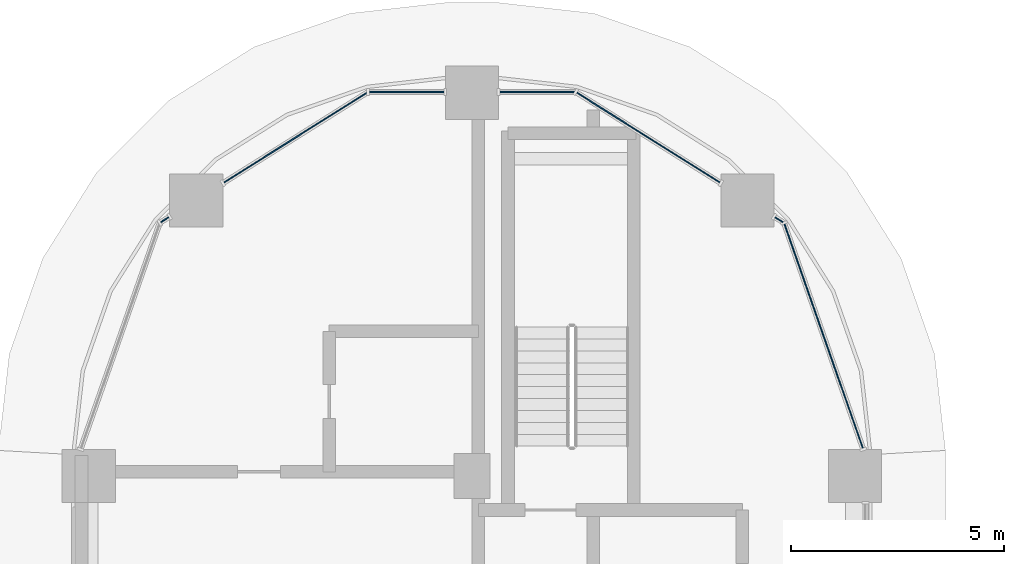
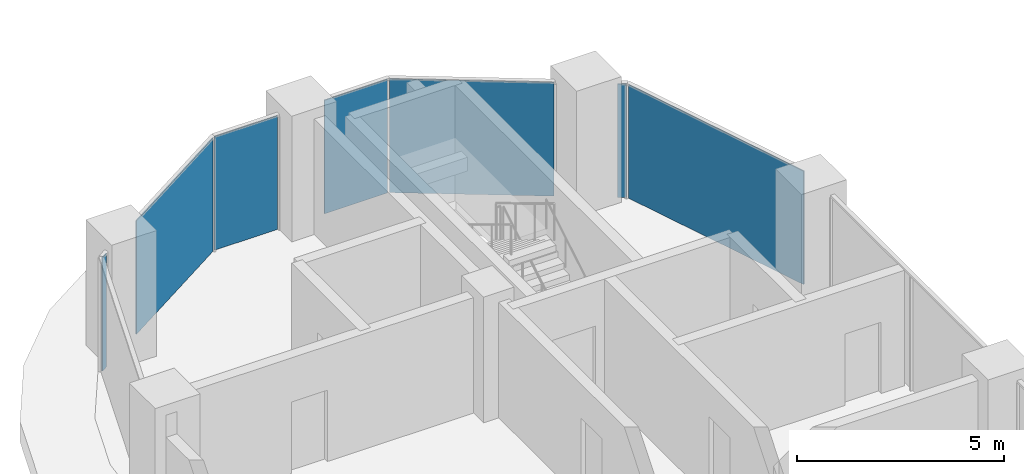
# One storey, part 13 of 33: 7 plates, 4 elements without a shape of their own.
"""IFC4 building model written with IfcOpenShell, lengths in metres."""

from ifc_helpers import new_model, si_unit, direction, frame, origin, origin_2d, place, context, subcontext, project, spatial, rectangle, extrude, material, layer, layer_set, type_object, element, aggregate, save


model = new_model("IFC4")

# Units and contexts
model_context = context("Model", 3, precision=1e-05, world=origin(), true_north=direction((0.0, 1.0)))
body_context = subcontext(model_context, "Body", "Model", "MODEL_VIEW")
ifc_project = project(units=[si_unit("LENGTHUNIT", "METRE"), si_unit("AREAUNIT", "SQUARE_METRE"), si_unit("VOLUMEUNIT", "CUBIC_METRE"), si_unit("PLANEANGLEUNIT", "RADIAN"), si_unit("MASSUNIT", "GRAM", prefix="KILO")], contexts=[model_context])

# Site, building, storey
site_placement = place(None, origin())
site = spatial("IfcSite", under=ifc_project, at=site_placement, CompositionType="ELEMENT")
building_placement = place(site_placement, origin())
building = spatial("IfcBuilding", under=site, at=building_placement, Name="Ogive Portal Towers", CompositionType="ELEMENT")
storey_placement = place(building_placement, frame((0.0, 0.0, 98.199951171875)))
storey = spatial("IfcBuildingStorey", under=building, at=storey_placement, Name="L23", CompositionType="ELEMENT", Elevation=98.199951171875)

# Curtain wall, plates
ifc_material = material(Name="Glass, clear low-iron insulated glazing", Category="glass")
curtain_wall_type = type_object("IfcCurtainWallType", Name="CW FRONT RIBBON 4500", PredefinedType="NOTDEFINED", material=ifc_material)
curtain_wall_1_placement = place(storey_placement, origin())
curtain_wall_1 = element("IfcCurtainWall", 1, at=curtain_wall_1_placement, inside=storey, type_object=curtain_wall_type, Name="A:L23:f07:cwa~0", PredefinedType="NOTDEFINED")
ifc_layer = layer(ifc_material, 0.028076171875)
ifc_layer_set = layer_set([ifc_layer], Name="CW PANEL IGU 28")
plate_type = type_object("IfcPlateType", Name="CW PANEL IGU 28", PredefinedType="CURTAIN_PANEL", material=ifc_layer_set)
plate_1_placement = place(storey_placement, frame((48.760498046875, 69.78564453125, 0.0), z_axis=(0.0, 0.0, 1.0), x_axis=(-0.33027906196, 0.943883330307, 0.0)))
plate_1 = element("IfcPlate", 2, at=plate_1_placement, type_object=plate_type, Name="panel", PredefinedType="CURTAIN_PANEL", context=body_context, shape_type="SweptSolid", body=[
    extrude(rectangle(XDim=5.57763671875, YDim=0.028076171875, at=origin_2d()), origin(), (0.0, 0.0, 1.0), 3.340087890625),
])
plate_2_placement = place(storey_placement, frame((47.713623046875, 72.51904296875, 0.0), z_axis=(0.0, 0.0, 1.0), x_axis=(-0.846724199227, 0.532032076517, 0.0)))
plate_2 = element("IfcPlate", 3, at=plate_2_placement, type_object=plate_type, Name="panel", PredefinedType="CURTAIN_PANEL", context=body_context, shape_type="SweptSolid", body=[
    extrude(rectangle(XDim=0.21337890625, YDim=0.028076171875, at=origin_2d()), origin(), (0.0, 0.0, 1.0), 3.340087890625),
])
aggregate(curtain_wall_1, [plate_1, plate_2])

curtain_wall_2_placement = place(storey_placement, origin())
curtain_wall_2 = element("IfcCurtainWall", 4, at=curtain_wall_2_placement, inside=storey, type_object=curtain_wall_type, Name="A:L23:f07:cwa~1", PredefinedType="NOTDEFINED")
plate_3_placement = place(storey_placement, frame((44.643798828125, 74.447998046875, 0.0), z_axis=(0.0, 0.0, 1.0), x_axis=(-0.846724199227, 0.532032076517, 0.0)))
plate_3 = element("IfcPlate", 5, at=plate_3_placement, type_object=plate_type, Name="panel", PredefinedType="CURTAIN_PANEL", context=body_context, shape_type="SweptSolid", body=[
    extrude(rectangle(XDim=3.96533203125, YDim=0.028076171875, at=origin_2d()), origin(), (0.0, 0.0, 1.0), 3.340087890625),
])
plate_4_placement = place(storey_placement, frame((42.0322265625, 75.518798828125, 0.0), z_axis=(0.0, 0.0, 1.0), x_axis=(-1.0, 0.0, 0.0)))
plate_4 = element("IfcPlate", 6, at=plate_4_placement, type_object=plate_type, Name="panel", PredefinedType="CURTAIN_PANEL", context=body_context, shape_type="SweptSolid", body=[
    extrude(rectangle(XDim=1.754638671875, YDim=0.028076171875, at=origin_2d()), origin(), (0.0, 0.0, 1.0), 3.340087890625),
])
aggregate(curtain_wall_2, [plate_3, plate_4])

curtain_wall_3_placement = place(storey_placement, origin())
curtain_wall_3 = element("IfcCurtainWall", 7, at=curtain_wall_3_placement, inside=storey, type_object=curtain_wall_type, Name="A:L23:f07:cwa~2", PredefinedType="NOTDEFINED")
plate_5_placement = place(storey_placement, frame((38.9677734375, 75.518798828125, 0.0), z_axis=(0.0, 0.0, 1.0), x_axis=(-1.0, 0.0, 0.0)))
plate_5 = element("IfcPlate", 8, at=plate_5_placement, type_object=plate_type, Name="panel", PredefinedType="CURTAIN_PANEL", context=body_context, shape_type="SweptSolid", body=[
    extrude(rectangle(XDim=1.754638671875, YDim=0.028076171875, at=origin_2d()), origin(), (0.0, 0.0, 1.0), 3.340087890625),
])
plate_6_placement = place(storey_placement, frame((36.356201171875, 74.447998046875, 0.0), z_axis=(0.0, 0.0, 1.0), x_axis=(-0.846724199227, -0.532032076517, 0.0)))
plate_6 = element("IfcPlate", 9, at=plate_6_placement, type_object=plate_type, Name="panel", PredefinedType="CURTAIN_PANEL", context=body_context, shape_type="SweptSolid", body=[
    extrude(rectangle(XDim=3.96533203125, YDim=0.028076171875, at=origin_2d()), origin(), (0.0, 0.0, 1.0), 3.340087890625),
])
aggregate(curtain_wall_3, [plate_5, plate_6])

# Curtain wall, plate
curtain_wall_4_placement = place(storey_placement, origin())
curtain_wall_4 = element("IfcCurtainWall", 10, at=curtain_wall_4_placement, inside=storey, type_object=curtain_wall_type, Name="A:L23:f07:cwa~3", PredefinedType="NOTDEFINED")
plate_7_placement = place(storey_placement, frame((33.286376953125, 72.51904296875, 0.0), z_axis=(0.0, 0.0, 1.0), x_axis=(-0.846724199227, -0.532032076517, 0.0)))
plate_7 = element("IfcPlate", 11, at=plate_7_placement, type_object=plate_type, Name="panel", PredefinedType="CURTAIN_PANEL", context=body_context, shape_type="SweptSolid", body=[
    extrude(rectangle(XDim=0.21337890625, YDim=0.028076171875, at=origin_2d()), origin(), (0.0, 0.0, 1.0), 3.340087890625),
])
aggregate(curtain_wall_4, [plate_7])

save(model, "model.ifc")
